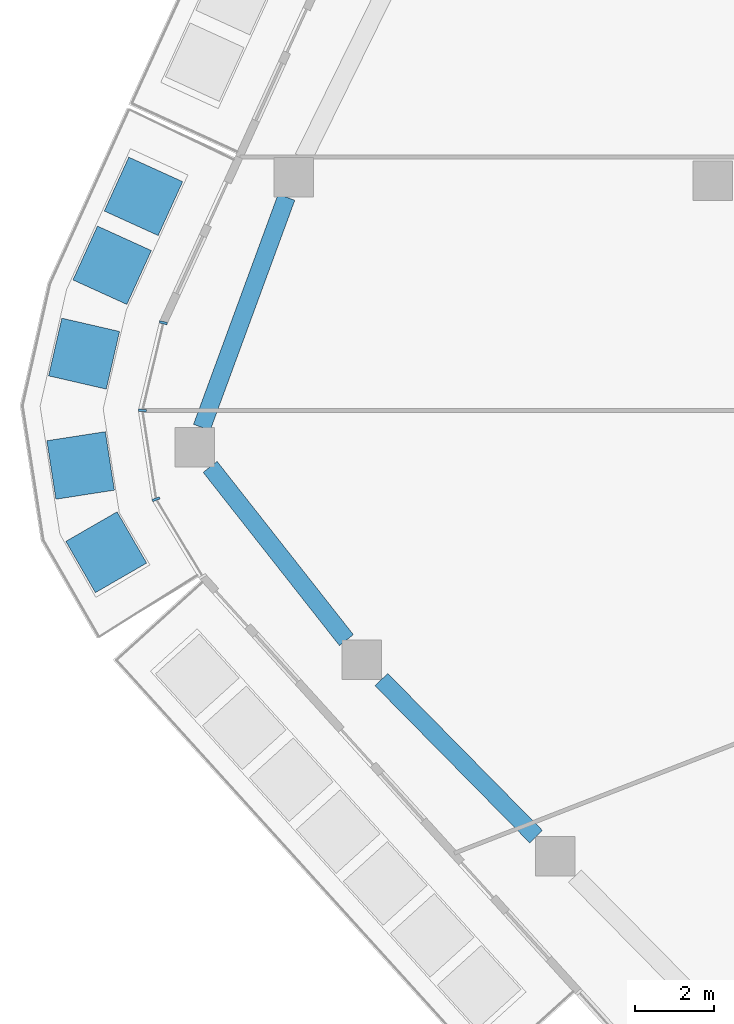
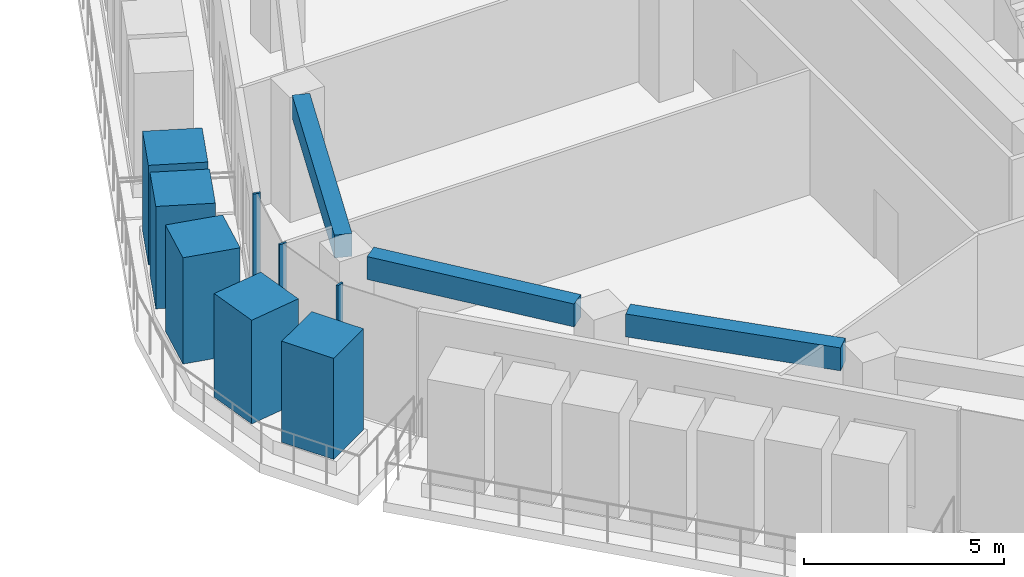
# One storey, part 3 of 24: 8 members, 3 beams, 1 element without a shape of its own.
"""IFC4 building model written with IfcOpenShell, lengths in metres."""

from ifc_helpers import new_model, si_unit, direction, frame, origin, origin_2d, place, context, subcontext, project, spatial, rectangle, extrude, material, layer, layer_set, material_profile, profile_set, type_object, element, aggregate, save


model = new_model("IFC4")

# Units and contexts
model_context = context("Model", 3, precision=1e-05, world=origin(), true_north=direction((0.0, 1.0)))
body_context = subcontext(model_context, "Body", "Model", "MODEL_VIEW")
ifc_project = project(units=[si_unit("LENGTHUNIT", "METRE"), si_unit("AREAUNIT", "SQUARE_METRE"), si_unit("VOLUMEUNIT", "CUBIC_METRE"), si_unit("PLANEANGLEUNIT", "RADIAN"), si_unit("MASSUNIT", "GRAM", prefix="KILO")], contexts=[model_context])

# Site, building, storey
site_placement = place(None, origin())
site = spatial("IfcSite", under=ifc_project, at=site_placement, CompositionType="ELEMENT")
building_placement = place(site_placement, origin())
building = spatial("IfcBuilding", under=site, at=building_placement, Name="Dongbaek Canopy Tower", CompositionType="ELEMENT")
storey_placement = place(building_placement, frame((0.0, 0.0, 311.0)))
storey = spatial("IfcBuildingStorey", under=building, at=storey_placement, Name="L66", CompositionType="ELEMENT", Elevation=311.0)

# Curtain wall, members
ifc_material_1 = material(Name="Aluminium 6063-T6 pale anodised", Category="aluminium")
ifc_layer = layer(ifc_material_1, 0.199951171875)
ifc_layer_set = layer_set([ifc_layer], Name="CW-1 unitised tower curtain wall")
curtain_wall_type = type_object("IfcCurtainWallType", Name="CW-1 unitised tower curtain wall", PredefinedType="NOTDEFINED", material=ifc_layer_set)
curtain_wall_placement = place(storey_placement, origin())
curtain_wall = element("IfcCurtainWall", 1, at=curtain_wall_placement, inside=storey, type_object=curtain_wall_type, Name="CW-1 curtain wall K3.1", PredefinedType="NOTDEFINED")
ifc_material_2 = material(Name="Aluminium 6063-T6 pale anodised", Category="aluminium")
ifc_material_profile_1 = material_profile(ifc_material_2, rectangle(XDim=0.199951171875, YDim=0.06005859375, at=origin_2d()), Name="CW-1 mullion 60 x 200")
ifc_profile_set_1 = profile_set([ifc_material_profile_1], Name="Aluminium 6063-T6 pale anodised")
member_type_1 = type_object("IfcMemberType", Name="CW-1 mullion 60 x 200", PredefinedType="MULLION", material=ifc_profile_set_1)
member_1_placement = place(storey_placement, frame((-31.920654296875, -3.59375, 0.0), z_axis=(0.0, 0.0, 1.0), x_axis=(-0.972600692253, 0.232482028187, 0.0)))
member_1 = element("IfcMember", 2, at=member_1_placement, type_object=member_type_1, Name="CW-1 mullion K3.1.1", PredefinedType="MULLION", context=body_context, shape_type="SweptSolid", body=[
    extrude(rectangle(XDim=0.199951171875, YDim=0.06005859375, at=origin_2d()), origin(), (0.0, 0.0, 1.0), 3.820068359375),
])
member_2_placement = place(storey_placement, frame((-32.451904296875, -5.81640625, 0.0), z_axis=(0.0, 0.0, 1.0), x_axis=(-0.999178724078, 0.040520085748, 0.0)))
member_2 = element("IfcMember", 3, at=member_2_placement, type_object=member_type_1, Name="CW-1 mullion K3.1.2", PredefinedType="MULLION", context=body_context, shape_type="SweptSolid", body=[
    extrude(rectangle(XDim=0.199951171875, YDim=0.06005859375, at=origin_2d()), origin(), (0.0, 0.0, 1.0), 3.820068359375),
])
member_3_placement = place(storey_placement, frame((-32.10400390625, -8.06494140625, 0.0), z_axis=(0.0, 0.0, 1.0), x_axis=(-0.940171100835, -0.340702657979, 0.0)))
member_3 = element("IfcMember", 4, at=member_3_placement, type_object=member_type_1, Name="CW-1 mullion K3.1.3", PredefinedType="MULLION", context=body_context, shape_type="SweptSolid", body=[
    extrude(rectangle(XDim=0.199951171875, YDim=0.06005859375, at=origin_2d()), origin(), (0.0, 0.0, 1.0), 3.820068359375),
])
aggregate(curtain_wall, [member_1, member_2, member_3])

# Beams
ifc_material_3 = material(Name="Concrete C60", Category="concrete")
ifc_material_profile_2 = material_profile(ifc_material_3, rectangle(XDim=0.449951171875, YDim=0.699951171875, at=origin_2d()), Name="RC EDGE BEAM 450x700 C60")
ifc_profile_set_2 = profile_set([ifc_material_profile_2], Name="Concrete C60")
beam_type = type_object("IfcBeamType", Name="RC EDGE BEAM 450x700 C60", PredefinedType="BEAM", material=ifc_profile_set_2)
beam_1_placement = place(storey_placement, frame((-22.478515625, -16.612060546875, 3.469970703125), z_axis=(-0.701708081315, 0.712464573588, 0.0), x_axis=(-0.712464573588, -0.701708081315, 0.0)))
element("IfcBeam", 5, at=beam_1_placement, inside=storey, type_object=beam_type, Name="EDGEBEAM:L66:06", PredefinedType="BEAM", context=body_context, shape_type="SweptSolid", body=[
    extrude(rectangle(XDim=0.449951171875, YDim=0.699951171875, at=origin_2d()), origin(), (0.0, 0.0, 1.0), 5.58349609375),
])
beam_2_placement = place(storey_placement, frame((-27.282470703125, -11.634033203125, 3.469970703125), z_axis=(-0.618340786972, 0.78591009102, 0.0), x_axis=(-0.78591009102, -0.618340786972, 0.0)))
element("IfcBeam", 6, at=beam_2_placement, inside=storey, type_object=beam_type, Name="EDGEBEAM:L66:07", PredefinedType="BEAM", context=body_context, shape_type="SweptSolid", body=[
    extrude(rectangle(XDim=0.449951171875, YDim=0.699951171875, at=origin_2d()), origin(), (0.0, 0.0, 1.0), 5.58447265625),
])
beam_3_placement = place(storey_placement, frame((-30.945068359375, -6.2451171875, 3.469970703125), z_axis=(0.345138950659, 0.938551599401, 0.0), x_axis=(-0.938551599401, 0.345138950659, 0.0)))
element("IfcBeam", 7, at=beam_3_placement, inside=storey, type_object=beam_type, Name="EDGEBEAM:L66:08", PredefinedType="BEAM", context=body_context, shape_type="SweptSolid", body=[
    extrude(rectangle(XDim=0.449951171875, YDim=0.699951171875, at=origin_2d()), origin(), (0.0, 0.0, 1.0), 6.212890625),
])

# Members
ifc_material_4 = material(Name="Concrete C40/50 planter mass with planting", Category="concrete")
ifc_material_profile_3 = material_profile(ifc_material_4, rectangle(XDim=1.5, YDim=1.5, at=origin_2d()), Name="Terrace PLANTER shrub mass 1500 x 1500")
ifc_profile_set_3 = profile_set([ifc_material_profile_3], Name="Concrete C40/50 planter mass with planting")
member_type_2 = type_object("IfcMemberType", Name="Terrace PLANTER shrub mass 1500 x 1500", PredefinedType="USERDEFINED", material=ifc_profile_set_3)
member_4_placement = place(storey_placement, frame((-32.423095703125, -0.39208984375, 0.419921875), z_axis=(0.0, 0.0, 1.0), x_axis=(-0.910355874039, 0.413826271039, 0.0)))
element("IfcMember", 8, at=member_4_placement, inside=storey, type_object=member_type_2, Name="Planter shrubs L66 6.1", ObjectType="PLANTER", PredefinedType="USERDEFINED", context=body_context, shape_type="SweptSolid", body=[
    extrude(rectangle(XDim=1.5, YDim=1.5, at=origin_2d()), origin(), (0.0, 0.0, 1.0), 3.050048828125),
])
member_5_placement = place(storey_placement, frame((-33.216796875, -2.137939453125, 0.419921875), z_axis=(0.0, 0.0, 1.0), x_axis=(-0.910355874039, 0.413826271039, 0.0)))
element("IfcMember", 9, at=member_5_placement, inside=storey, type_object=member_type_2, Name="Planter shrubs L66 6.2", ObjectType="PLANTER", PredefinedType="USERDEFINED", context=body_context, shape_type="SweptSolid", body=[
    extrude(rectangle(XDim=1.5, YDim=1.5, at=origin_2d()), origin(), (0.0, 0.0, 1.0), 3.130126953125),
])
member_6_placement = place(storey_placement, frame((-33.927978515625, -4.377197265625, 0.419921875), z_axis=(0.0, 0.0, 1.0), x_axis=(-0.974537245285, 0.224225684416, 0.0)))
element("IfcMember", 10, at=member_6_placement, inside=storey, type_object=member_type_2, Name="Planter shrubs L66 6.3", ObjectType="PLANTER", PredefinedType="USERDEFINED", context=body_context, shape_type="SweptSolid", body=[
    extrude(rectangle(XDim=1.5, YDim=1.5, at=origin_2d()), origin(), (0.0, 0.0, 1.0), 3.25),
])
member_7_placement = place(storey_placement, frame((-34.015625, -7.20947265625, 0.419921875), z_axis=(0.0, 0.0, 1.0), x_axis=(-0.988231820441, -0.15296362008, 0.0)))
element("IfcMember", 11, at=member_7_placement, inside=storey, type_object=member_type_2, Name="Planter shrubs L66 6.4", ObjectType="PLANTER", PredefinedType="USERDEFINED", context=body_context, shape_type="SweptSolid", body=[
    extrude(rectangle(XDim=1.5, YDim=1.5, at=origin_2d()), origin(), (0.0, 0.0, 1.0), 3.170166015625),
])
member_8_placement = place(storey_placement, frame((-33.366455078125, -9.40771484375, 0.419921875), z_axis=(0.0, 0.0, 1.0), x_axis=(-0.866328530905, -0.499474600496, 0.0)))
element("IfcMember", 12, at=member_8_placement, inside=storey, type_object=member_type_2, Name="Planter shrubs L66 6.5", ObjectType="PLANTER", PredefinedType="USERDEFINED", context=body_context, shape_type="SweptSolid", body=[
    extrude(rectangle(XDim=1.5, YDim=1.5, at=origin_2d()), origin(), (0.0, 0.0, 1.0), 3.090087890625),
])

save(model, "model.ifc")
